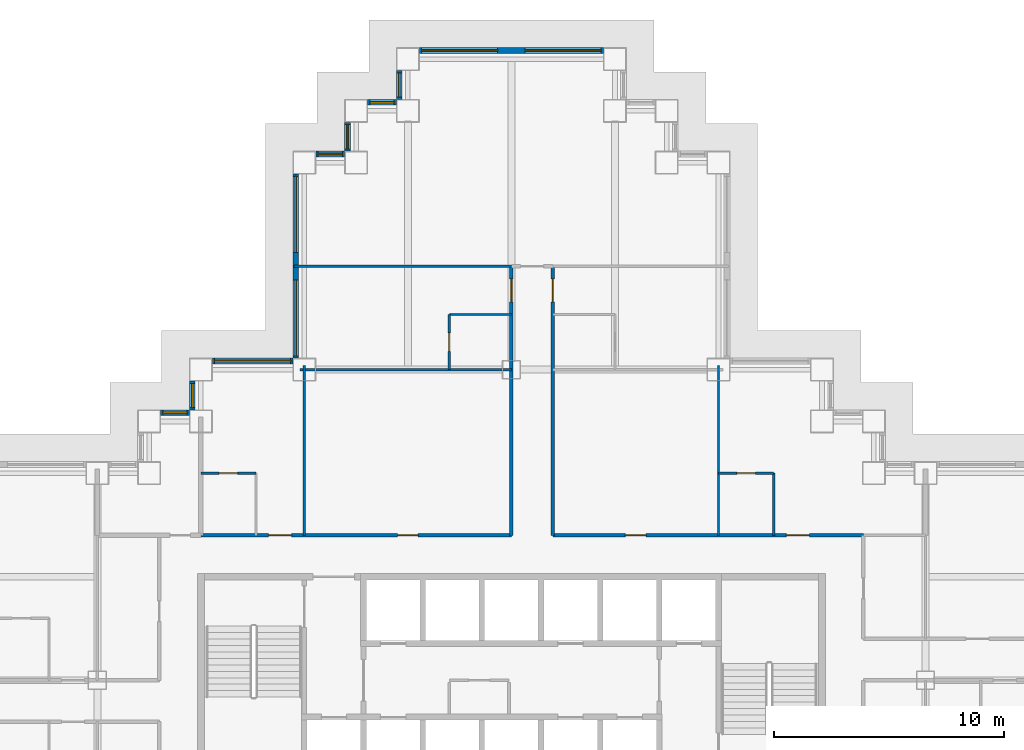
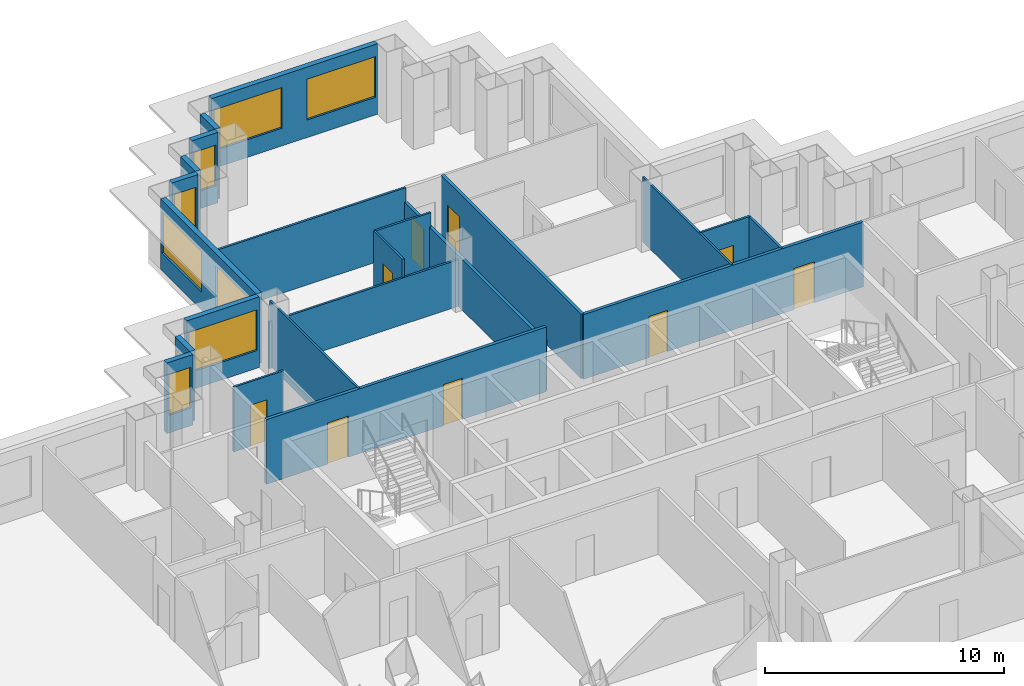
# One storey, part 8 of 14: 22 walls, 11 windows, 9 doors, 20 openings.
"""IFC4 building model written with IfcOpenShell, lengths in metres."""

from ifc_helpers import new_model, si_unit, direction, frame, frame_2d, origin, place, context, subcontext, project, spatial, rectangle, extrude, material, layer, layer_set, type_object, element, fill, save


model = new_model("IFC4")

# Units and contexts
model_context = context("Model", 3, precision=1e-05, world=origin(), true_north=direction((0.0, 1.0)))
body_context = subcontext(model_context, "Body", "Model", "MODEL_VIEW")
ifc_project = project(units=[si_unit("LENGTHUNIT", "METRE"), si_unit("AREAUNIT", "SQUARE_METRE"), si_unit("VOLUMEUNIT", "CUBIC_METRE"), si_unit("PLANEANGLEUNIT", "RADIAN"), si_unit("MASSUNIT", "GRAM", prefix="KILO")], contexts=[model_context])

# Site, building, storey
site_placement = place(None, origin())
site = spatial("IfcSite", under=ifc_project, at=site_placement, CompositionType="ELEMENT")
building_placement = place(site_placement, origin())
building = spatial("IfcBuilding", under=site, at=building_placement, Name="Caravel Reach Hotel and Residences", CompositionType="ELEMENT")
storey_placement = place(building_placement, frame((0.0, 0.0, 56.39990234375)))
storey = spatial("IfcBuildingStorey", under=building, at=storey_placement, Name="L12", CompositionType="ELEMENT", Elevation=56.39990234375)

# Wall, opening, door
ifc_material_1 = material(Name="Gypsum board on steel stud", Category="steel")
ifc_layer_1 = layer(ifc_material_1, 0.10009765625)
ifc_layer_set_1 = layer_set([ifc_layer_1], Name="Bathroom pod wall 100 mm")
wall_type_1 = type_object("IfcWallType", Name="Bathroom pod wall 100 mm", PredefinedType="PARTITIONING", material=ifc_layer_set_1)
wall_1_placement = place(storey_placement, frame((18.0, 36.0, 0.0), z_axis=(0.0, 0.0, 1.0), x_axis=(1.0, 0.0, 0.0)))
wall_1 = element("IfcWall", 1, at=wall_1_placement, inside=storey, type_object=wall_type_1, Name="L12 wall w082", PredefinedType="PARTITIONING", context=body_context, shape_type="SweptSolid", body=[
    extrude(rectangle(XDim=2.39990234375, YDim=0.10009765625, at=frame_2d((1.199951171875, 0.0))), origin(), (0.0, 0.0, 1.0), 3.300048828125),
])
opening_1_placement = place(wall_1_placement, frame((0.800048828125, 0.0, 0.0)))
opening_1 = element("IfcOpeningElement", 2, at=opening_1_placement, cuts=wall_1, Name="Opening D12-042", PredefinedType="OPENING", context=body_context, shape_type="SweptSolid", body=[
    extrude(rectangle(XDim=0.800048828125, YDim=2.10009765625, at=frame_2d((0.39990234375, 1.050048828125))), frame((0.0, 0.06005859375, 0.0), z_axis=(0.0, -1.0, 0.0), x_axis=(1.0, 0.0, 0.0)), (0.0, 0.0, 1.0), 0.1201171875),
])
ifc_material_2 = material(Name="Timber and steel door leaf", Category="steel")
door_type_1 = type_object("IfcDoorType", Name="Bathroom door 800 x 2100", OperationType="SINGLE_SWING_LEFT", PredefinedType="DOOR", material=ifc_material_2)
door_1_placement = place(opening_1_placement, origin())
door_1 = element("IfcDoor", 3, at=door_1_placement, inside=storey, type_object=door_type_1, Name="door D12-042", OperationType="SINGLE_SWING_LEFT", OverallHeight=2.10009765625, OverallWidth=0.800048828125, PredefinedType="DOOR", context=body_context, shape_type="SweptSolid", body=[
    extrude(rectangle(XDim=0.800048828125, YDim=2.10009765625, at=frame_2d((0.39990234375, 1.050048828125))), frame((0.0, 0.02490234375, 0.0), z_axis=(0.0, -1.0, 0.0), x_axis=(1.0, 0.0, 0.0)), (0.0, 0.0, 1.0), 0.050048828125),
])
fill(opening_1, door_1)

wall_2_placement = place(storey_placement, frame((40.5, 36.0, 0.0), z_axis=(0.0, 0.0, 1.0), x_axis=(1.0, 0.0, 0.0)))
wall_2 = element("IfcWall", 4, at=wall_2_placement, inside=storey, type_object=wall_type_1, Name="L12 wall w083", PredefinedType="PARTITIONING", context=body_context, shape_type="SweptSolid", body=[
    extrude(rectangle(XDim=2.39990234375, YDim=0.10009765625, at=frame_2d((1.199951171875, 0.0))), origin(), (0.0, 0.0, 1.0), 3.300048828125),
])
opening_2_placement = place(wall_2_placement, frame((0.800048828125, 0.0, 0.0)))
opening_2 = element("IfcOpeningElement", 5, at=opening_2_placement, cuts=wall_2, Name="Opening D12-045", PredefinedType="OPENING", context=body_context, shape_type="SweptSolid", body=[
    extrude(rectangle(XDim=0.800048828125, YDim=2.10009765625, at=frame_2d((0.39990234375, 1.050048828125))), frame((0.0, 0.06005859375, 0.0), z_axis=(0.0, -1.0, 0.0), x_axis=(1.0, 0.0, 0.0)), (0.0, 0.0, 1.0), 0.1201171875),
])
door_2_placement = place(opening_2_placement, origin())
door_2 = element("IfcDoor", 6, at=door_2_placement, inside=storey, type_object=door_type_1, Name="door D12-045", OperationType="SINGLE_SWING_LEFT", OverallHeight=2.10009765625, OverallWidth=0.800048828125, PredefinedType="DOOR", context=body_context, shape_type="SweptSolid", body=[
    extrude(rectangle(XDim=0.800048828125, YDim=2.10009765625, at=frame_2d((0.39990234375, 1.050048828125))), frame((0.0, 0.02490234375, 0.0), z_axis=(0.0, -1.0, 0.0), x_axis=(1.0, 0.0, 0.0)), (0.0, 0.0, 1.0), 0.050048828125),
])
fill(opening_2, door_2)

# Wall
wall_3_placement = place(storey_placement, frame((28.800048828125, 42.89990234375, 0.0), z_axis=(0.0, 0.0, 1.0), x_axis=(1.0, 0.0, 0.0)))
element("IfcWall", 7, at=wall_3_placement, inside=storey, type_object=wall_type_1, Name="L12 wall w085", PredefinedType="PARTITIONING", context=body_context, shape_type="SweptSolid", body=[
    extrude(rectangle(XDim=2.699951171875, YDim=0.10009765625, at=frame_2d((1.35009765625, 0.0))), origin(), (0.0, 0.0, 1.0), 3.300048828125),
])

# Wall, opening, door
wall_4_placement = place(storey_placement, frame((28.800048828125, 40.5, 0.0), z_axis=(0.0, 0.0, 1.0), x_axis=(0.0, 1.0, 0.0)))
wall_4 = element("IfcWall", 8, at=wall_4_placement, inside=storey, type_object=wall_type_1, Name="L12 wall w094", PredefinedType="PARTITIONING", context=body_context, shape_type="SweptSolid", body=[
    extrude(rectangle(XDim=2.39990234375, YDim=0.10009765625, at=frame_2d((1.199951171875, 0.0))), origin(), (0.0, 0.0, 1.0), 3.300048828125),
])
opening_3_placement = place(wall_4_placement, frame((0.800048828125, 0.0, 0.0)))
opening_3 = element("IfcOpeningElement", 9, at=opening_3_placement, cuts=wall_4, Name="Opening D12-027", PredefinedType="OPENING", context=body_context, shape_type="SweptSolid", body=[
    extrude(rectangle(XDim=0.800048828125, YDim=2.10009765625, at=frame_2d((0.39990234375, 1.050048828125))), frame((0.0, 0.06005859375, 0.0), z_axis=(0.0, -1.0, 0.0), x_axis=(1.0, 0.0, 0.0)), (0.0, 0.0, 1.0), 0.1201171875),
])
door_3_placement = place(opening_3_placement, origin())
door_3 = element("IfcDoor", 10, at=door_3_placement, inside=storey, type_object=door_type_1, Name="door D12-027", OperationType="SINGLE_SWING_LEFT", OverallHeight=2.10009765625, OverallWidth=0.800048828125, PredefinedType="DOOR", context=body_context, shape_type="SweptSolid", body=[
    extrude(rectangle(XDim=0.800048828125, YDim=2.10009765625, at=frame_2d((0.39990234375, 1.050048828125))), frame((0.0, 0.02490234375, 0.0), z_axis=(0.0, -1.0, 0.0), x_axis=(1.0, 0.0, 0.0)), (0.0, 0.0, 1.0), 0.050048828125),
])
fill(opening_3, door_3)

# Wall
wall_5_placement = place(storey_placement, frame((42.89990234375, 33.300048828125, 0.0), z_axis=(0.0, 0.0, 1.0), x_axis=(0.0, 1.0, 0.0)))
element("IfcWall", 11, at=wall_5_placement, inside=storey, type_object=wall_type_1, Name="L12 wall w097", PredefinedType="PARTITIONING", context=body_context, shape_type="SweptSolid", body=[
    extrude(rectangle(XDim=2.699951171875, YDim=0.10009765625, at=frame_2d((1.35009765625, 0.0))), origin(), (0.0, 0.0, 1.0), 3.300048828125),
])

# Wall, openings, doors
ifc_material_3 = material(Name="Gypsum board on steel stud, fire-rated", Category="steel")
ifc_layer_2 = layer(ifc_material_3, 0.14990234375)
ifc_layer_set_2 = layer_set([ifc_layer_2], Name="Corridor wall 150 mm EI 60")
wall_type_2 = type_object("IfcWallType", Name="Corridor wall 150 mm EI 60", PredefinedType="PARTITIONING", material=ifc_layer_set_2)
wall_6_placement = place(storey_placement, frame((18.0, 33.300048828125, 0.0), z_axis=(0.0, 0.0, 1.0), x_axis=(1.0, 0.0, 0.0)))
wall_6 = element("IfcWall", 12, at=wall_6_placement, inside=storey, type_object=wall_type_2, Name="L12 wall w018", PredefinedType="PARTITIONING", context=body_context, shape_type="SweptSolid", body=[
    extrude(rectangle(XDim=13.5, YDim=0.14990234375, at=frame_2d((6.75, 0.0))), origin(), (0.0, 0.0, 1.0), 3.300048828125),
])
opening_4_placement = place(wall_6_placement, frame((2.949951171875, 0.0, 0.0)))
opening_4 = element("IfcOpeningElement", 13, at=opening_4_placement, cuts=wall_6, Name="Opening D12-041", PredefinedType="OPENING", context=body_context, shape_type="SweptSolid", body=[
    extrude(rectangle(XDim=1.0, YDim=2.10009765625, at=frame_2d((0.5, 1.050048828125))), frame((0.0, 0.0849609375, 0.0), z_axis=(0.0, -1.0, 0.0), x_axis=(1.0, 0.0, 0.0)), (0.0, 0.0, 1.0), 0.169921875),
])
opening_5_placement = place(wall_6_placement, frame((8.550048828125, 0.0, 0.0)))
opening_5 = element("IfcOpeningElement", 14, at=opening_5_placement, cuts=wall_6, Name="Opening D12-052", PredefinedType="OPENING", context=body_context, shape_type="SweptSolid", body=[
    extrude(rectangle(XDim=0.89990234375, YDim=2.10009765625, at=frame_2d((0.449951171875, 1.050048828125))), frame((0.0, 0.0849609375, 0.0), z_axis=(0.0, -1.0, 0.0), x_axis=(1.0, 0.0, 0.0)), (0.0, 0.0, 1.0), 0.169921875),
])
ifc_material_4 = material(Name="Timber and steel door leaf", Category="steel")
door_type_2 = type_object("IfcDoorType", Name="Door 900 x 2100 timber", OperationType="SINGLE_SWING_LEFT", PredefinedType="DOOR", material=ifc_material_4)
door_4_placement = place(opening_5_placement, origin())
door_4 = element("IfcDoor", 15, at=door_4_placement, inside=storey, type_object=door_type_2, Name="door D12-052", OperationType="SINGLE_SWING_LEFT", OverallHeight=2.10009765625, OverallWidth=0.89990234375, PredefinedType="DOOR", context=body_context, shape_type="SweptSolid", body=[
    extrude(rectangle(XDim=0.89990234375, YDim=2.10009765625, at=frame_2d((0.449951171875, 1.050048828125))), frame((0.0, 0.02490234375, 0.0), z_axis=(0.0, -1.0, 0.0), x_axis=(1.0, 0.0, 0.0)), (0.0, 0.0, 1.0), 0.050048828125),
])
fill(opening_5, door_4)
ifc_material_5 = material(Name="Steel fire door leaf", Category="steel")
door_type_3 = type_object("IfcDoorType", Name="Guest room door 1000 x 2100 EI 30", OperationType="SINGLE_SWING_LEFT", PredefinedType="DOOR", material=ifc_material_5)
door_5_placement = place(opening_4_placement, origin())
door_5 = element("IfcDoor", 16, at=door_5_placement, inside=storey, type_object=door_type_3, Name="door D12-041", OperationType="SINGLE_SWING_RIGHT", OverallHeight=2.10009765625, OverallWidth=1.0, PredefinedType="DOOR", context=body_context, shape_type="SweptSolid", body=[
    extrude(rectangle(XDim=1.0, YDim=2.10009765625, at=frame_2d((0.5, 1.050048828125))), frame((0.0, 0.02490234375, 0.0), z_axis=(0.0, -1.0, 0.0), x_axis=(1.0, 0.0, 0.0)), (0.0, 0.0, 1.0), 0.050048828125),
])
fill(opening_4, door_5)

wall_7_placement = place(storey_placement, frame((33.300048828125, 33.300048828125, 0.0), z_axis=(0.0, 0.0, 1.0), x_axis=(1.0, 0.0, 0.0)))
wall_7 = element("IfcWall", 17, at=wall_7_placement, inside=storey, type_object=wall_type_2, Name="L12 wall w021", PredefinedType="PARTITIONING", context=body_context, shape_type="SweptSolid", body=[
    extrude(rectangle(XDim=13.5, YDim=0.14990234375, at=frame_2d((6.75, 0.0))), origin(), (0.0, 0.0, 1.0), 3.300048828125),
])
opening_6_placement = place(wall_7_placement, frame((10.14990234375, 0.0, 0.0)))
opening_6 = element("IfcOpeningElement", 18, at=opening_6_placement, cuts=wall_7, Name="Opening D12-044", PredefinedType="OPENING", context=body_context, shape_type="SweptSolid", body=[
    extrude(rectangle(XDim=1.0, YDim=2.10009765625, at=frame_2d((0.5, 1.050048828125))), frame((0.0, 0.0849609375, 0.0), z_axis=(0.0, -1.0, 0.0), x_axis=(1.0, 0.0, 0.0)), (0.0, 0.0, 1.0), 0.169921875),
])
opening_7_placement = place(wall_7_placement, frame((3.14990234375, 0.0, 0.0)))
opening_7 = element("IfcOpeningElement", 19, at=opening_7_placement, cuts=wall_7, Name="Opening D12-053", PredefinedType="OPENING", context=body_context, shape_type="SweptSolid", body=[
    extrude(rectangle(XDim=0.89990234375, YDim=2.10009765625, at=frame_2d((0.449951171875, 1.050048828125))), frame((0.0, 0.0849609375, 0.0), z_axis=(0.0, -1.0, 0.0), x_axis=(1.0, 0.0, 0.0)), (0.0, 0.0, 1.0), 0.169921875),
])
door_6_placement = place(opening_7_placement, origin())
door_6 = element("IfcDoor", 20, at=door_6_placement, inside=storey, type_object=door_type_2, Name="door D12-053", OperationType="SINGLE_SWING_RIGHT", OverallHeight=2.10009765625, OverallWidth=0.89990234375, PredefinedType="DOOR", context=body_context, shape_type="SweptSolid", body=[
    extrude(rectangle(XDim=0.89990234375, YDim=2.10009765625, at=frame_2d((0.449951171875, 1.050048828125))), frame((0.0, 0.02490234375, 0.0), z_axis=(0.0, -1.0, 0.0), x_axis=(1.0, 0.0, 0.0)), (0.0, 0.0, 1.0), 0.050048828125),
])
fill(opening_7, door_6)
door_7_placement = place(opening_6_placement, origin())
door_7 = element("IfcDoor", 21, at=door_7_placement, inside=storey, type_object=door_type_3, Name="door D12-044", OperationType="SINGLE_SWING_RIGHT", OverallHeight=2.10009765625, OverallWidth=1.0, PredefinedType="DOOR", context=body_context, shape_type="SweptSolid", body=[
    extrude(rectangle(XDim=1.0, YDim=2.10009765625, at=frame_2d((0.5, 1.050048828125))), frame((0.0, 0.02490234375, 0.0), z_axis=(0.0, -1.0, 0.0), x_axis=(1.0, 0.0, 0.0)), (0.0, 0.0, 1.0), 0.050048828125),
])
fill(opening_6, door_7)

# Wall, opening, door
wall_8_placement = place(storey_placement, frame((31.5, 33.300048828125, 0.0), z_axis=(0.0, 0.0, 1.0), x_axis=(0.0, 1.0, 0.0)))
wall_8 = element("IfcWall", 22, at=wall_8_placement, inside=storey, type_object=wall_type_2, Name="L12 wall w030", PredefinedType="PARTITIONING", context=body_context, shape_type="SweptSolid", body=[
    extrude(rectangle(XDim=11.699951171875, YDim=0.14990234375, at=frame_2d((5.85009765625, 0.0))), origin(), (0.0, 0.0, 1.0), 2.580078125),
])
opening_8_placement = place(wall_8_placement, frame((10.14990234375, 0.0, 0.0)))
opening_8 = element("IfcOpeningElement", 23, at=opening_8_placement, cuts=wall_8, Name="Opening D12-026", PredefinedType="OPENING", context=body_context, shape_type="SweptSolid", body=[
    extrude(rectangle(XDim=1.0, YDim=2.10009765625, at=frame_2d((0.5, 1.050048828125))), frame((0.0, 0.0849609375, 0.0), z_axis=(0.0, -1.0, 0.0), x_axis=(1.0, 0.0, 0.0)), (0.0, 0.0, 1.0), 0.169921875),
])
door_8_placement = place(opening_8_placement, origin())
door_8 = element("IfcDoor", 24, at=door_8_placement, inside=storey, type_object=door_type_3, Name="door D12-026", OperationType="SINGLE_SWING_RIGHT", OverallHeight=2.10009765625, OverallWidth=1.0, PredefinedType="DOOR", context=body_context, shape_type="SweptSolid", body=[
    extrude(rectangle(XDim=1.0, YDim=2.10009765625, at=frame_2d((0.5, 1.050048828125))), frame((0.0, 0.02490234375, 0.0), z_axis=(0.0, -1.0, 0.0), x_axis=(1.0, 0.0, 0.0)), (0.0, 0.0, 1.0), 0.050048828125),
])
fill(opening_8, door_8)

wall_9_placement = place(storey_placement, frame((33.300048828125, 33.300048828125, 0.0), z_axis=(0.0, 0.0, 1.0), x_axis=(0.0, 1.0, 0.0)))
wall_9 = element("IfcWall", 25, at=wall_9_placement, inside=storey, type_object=wall_type_2, Name="L12 wall w035", PredefinedType="PARTITIONING", context=body_context, shape_type="SweptSolid", body=[
    extrude(rectangle(XDim=11.699951171875, YDim=0.14990234375, at=frame_2d((5.85009765625, 0.0))), origin(), (0.0, 0.0, 1.0), 3.300048828125),
])
opening_9_placement = place(wall_9_placement, frame((10.14990234375, 0.0, 0.0)))
opening_9 = element("IfcOpeningElement", 26, at=opening_9_placement, cuts=wall_9, Name="Opening D12-028", PredefinedType="OPENING", context=body_context, shape_type="SweptSolid", body=[
    extrude(rectangle(XDim=1.0, YDim=2.10009765625, at=frame_2d((0.5, 1.050048828125))), frame((0.0, 0.0849609375, 0.0), z_axis=(0.0, -1.0, 0.0), x_axis=(1.0, 0.0, 0.0)), (0.0, 0.0, 1.0), 0.169921875),
])
door_9_placement = place(opening_9_placement, origin())
door_9 = element("IfcDoor", 27, at=door_9_placement, inside=storey, type_object=door_type_3, Name="door D12-028", OperationType="SINGLE_SWING_RIGHT", OverallHeight=2.10009765625, OverallWidth=1.0, PredefinedType="DOOR", context=body_context, shape_type="SweptSolid", body=[
    extrude(rectangle(XDim=1.0, YDim=2.10009765625, at=frame_2d((0.5, 1.050048828125))), frame((0.0, 0.02490234375, 0.0), z_axis=(0.0, -1.0, 0.0), x_axis=(1.0, 0.0, 0.0)), (0.0, 0.0, 1.0), 0.050048828125),
])
fill(opening_9, door_9)

# Wall, openings, windows
ifc_material_6 = material(Name="Insulated rainscreen wall, aluminium cladding", Category="aluminium")
ifc_layer_3 = layer(ifc_material_6, 0.25)
ifc_layer_set_3 = layer_set([ifc_layer_3], Name="EW1 Tower rainscreen wall")
wall_type_3 = type_object("IfcWallType", Name="EW1 Tower rainscreen wall", PredefinedType="SOLIDWALL", material=ifc_layer_set_3)
wall_10_placement = place(storey_placement, frame((35.5, 54.375, 0.0), z_axis=(0.0, 0.0, 1.0), x_axis=(-1.0, 0.0, 0.0)))
wall_10 = element("IfcWall", 28, at=wall_10_placement, inside=storey, type_object=wall_type_3, Name="External wall L12 N35.1", PredefinedType="SOLIDWALL", context=body_context, shape_type="SweptSolid", body=[
    extrude(rectangle(XDim=8.0, YDim=0.25, at=frame_2d((4.0, 0.0))), origin(), (0.0, 0.0, 1.0), 3.60009765625),
])
opening_10_placement = place(wall_10_placement, frame((0.10009765625, 0.0, 0.89990234375)))
opening_10 = element("IfcOpeningElement", 29, at=opening_10_placement, cuts=wall_10, Name="Opening WN4", PredefinedType="OPENING", context=body_context, shape_type="SweptSolid", body=[
    extrude(rectangle(XDim=3.300048828125, YDim=2.080078125, at=frame_2d((1.64990234375, 1.0400390625))), frame((0.0, 0.135009765625, 0.0), z_axis=(0.0, -1.0, 0.0), x_axis=(1.0, 0.0, 0.0)), (0.0, 0.0, 1.0), 0.27001953125),
])
opening_11_placement = place(wall_10_placement, frame((4.60009765625, 0.0, 0.89990234375)))
opening_11 = element("IfcOpeningElement", 30, at=opening_11_placement, cuts=wall_10, Name="Opening WN4", PredefinedType="OPENING", context=body_context, shape_type="SweptSolid", body=[
    extrude(rectangle(XDim=3.300048828125, YDim=2.080078125, at=frame_2d((1.64990234375, 1.0400390625))), frame((0.0, 0.135009765625, 0.0), z_axis=(0.0, -1.0, 0.0), x_axis=(1.0, 0.0, 0.0)), (0.0, 0.0, 1.0), 0.27001953125),
])
ifc_material_7 = material(Name="Dark low-e glazing in black aluminium frame", Category="aluminium")
window_type_1 = type_object("IfcWindowType", Name="Hotel guest room window 3300 x 2080", PartitioningType="SINGLE_PANEL", PredefinedType="WINDOW", material=ifc_material_7)
window_1_placement = place(opening_10_placement, origin())
window_1 = element("IfcWindow", 31, at=window_1_placement, inside=storey, type_object=window_type_1, Name="Window L12 N35.1.1", OverallHeight=2.080078125, OverallWidth=3.300048828125, PartitioningType="SINGLE_PANEL", PredefinedType="WINDOW", context=body_context, shape_type="SweptSolid", body=[
    extrude(rectangle(XDim=3.300048828125, YDim=2.080078125, at=frame_2d((1.64990234375, 1.0400390625))), frame((0.0, 0.030029296875, 0.0), z_axis=(0.0, -1.0, 0.0), x_axis=(1.0, 0.0, 0.0)), (0.0, 0.0, 1.0), 0.06005859375),
])
fill(opening_10, window_1)
window_2_placement = place(opening_11_placement, origin())
window_2 = element("IfcWindow", 32, at=window_2_placement, inside=storey, type_object=window_type_1, Name="Window L12 N35.1.2", OverallHeight=2.080078125, OverallWidth=3.300048828125, PartitioningType="SINGLE_PANEL", PredefinedType="WINDOW", context=body_context, shape_type="SweptSolid", body=[
    extrude(rectangle(XDim=3.300048828125, YDim=2.080078125, at=frame_2d((1.64990234375, 1.0400390625))), frame((0.0, 0.030029296875, 0.0), z_axis=(0.0, -1.0, 0.0), x_axis=(1.0, 0.0, 0.0)), (0.0, 0.0, 1.0), 0.06005859375),
])
fill(opening_11, window_2)

# Wall, opening, window
wall_11_placement = place(storey_placement, frame((26.625, 53.5, 0.0), z_axis=(0.0, 0.0, 1.0), x_axis=(0.0, -1.0, 0.0)))
wall_11 = element("IfcWall", 33, at=wall_11_placement, inside=storey, type_object=wall_type_3, Name="External wall L12 W36.1", PredefinedType="SOLIDWALL", context=body_context, shape_type="SweptSolid", body=[
    extrude(rectangle(XDim=1.25, YDim=0.25, at=frame_2d((0.625, 0.0))), origin(), (0.0, 0.0, 1.0), 3.60009765625),
])
opening_12_placement = place(wall_11_placement, frame((0.10009765625, 0.0, 0.89990234375)))
opening_12 = element("IfcOpeningElement", 34, at=opening_12_placement, cuts=wall_11, Name="Opening WN3", PredefinedType="OPENING", context=body_context, shape_type="SweptSolid", body=[
    extrude(rectangle(XDim=1.050048828125, YDim=2.080078125, at=frame_2d((0.52490234375, 1.0400390625))), frame((0.0, 0.135009765625, 0.0), z_axis=(0.0, -1.0, 0.0), x_axis=(1.0, 0.0, 0.0)), (0.0, 0.0, 1.0), 0.27001953125),
])
ifc_material_8 = material(Name="Dark low-e glazing in black aluminium frame", Category="aluminium")
window_type_2 = type_object("IfcWindowType", Name="Hotel suite corner window 1050 x 2080", PartitioningType="SINGLE_PANEL", PredefinedType="WINDOW", material=ifc_material_8)
window_3_placement = place(opening_12_placement, origin())
window_3 = element("IfcWindow", 35, at=window_3_placement, inside=storey, type_object=window_type_2, Name="Window L12 W36.1.1", OverallHeight=2.080078125, OverallWidth=1.050048828125, PartitioningType="SINGLE_PANEL", PredefinedType="WINDOW", context=body_context, shape_type="SweptSolid", body=[
    extrude(rectangle(XDim=1.050048828125, YDim=2.080078125, at=frame_2d((0.52490234375, 1.0400390625))), frame((0.0, 0.030029296875, 0.0), z_axis=(0.0, -1.0, 0.0), x_axis=(1.0, 0.0, 0.0)), (0.0, 0.0, 1.0), 0.06005859375),
])
fill(opening_12, window_3)

wall_12_placement = place(storey_placement, frame((26.5, 52.125, 0.0), z_axis=(0.0, 0.0, 1.0), x_axis=(-1.0, 0.0, 0.0)))
wall_12 = element("IfcWall", 36, at=wall_12_placement, inside=storey, type_object=wall_type_3, Name="External wall L12 N37.1", PredefinedType="SOLIDWALL", context=body_context, shape_type="SweptSolid", body=[
    extrude(rectangle(XDim=1.25, YDim=0.25, at=frame_2d((0.625, 0.0))), origin(), (0.0, 0.0, 1.0), 3.60009765625),
])
opening_13_placement = place(wall_12_placement, frame((0.10009765625, 0.0, 0.89990234375)))
opening_13 = element("IfcOpeningElement", 37, at=opening_13_placement, cuts=wall_12, Name="Opening WN3", PredefinedType="OPENING", context=body_context, shape_type="SweptSolid", body=[
    extrude(rectangle(XDim=1.050048828125, YDim=2.080078125, at=frame_2d((0.52490234375, 1.0400390625))), frame((0.0, 0.135009765625, 0.0), z_axis=(0.0, -1.0, 0.0), x_axis=(1.0, 0.0, 0.0)), (0.0, 0.0, 1.0), 0.27001953125),
])
window_4_placement = place(opening_13_placement, origin())
window_4 = element("IfcWindow", 38, at=window_4_placement, inside=storey, type_object=window_type_2, Name="Window L12 N37.1.1", OverallHeight=2.080078125, OverallWidth=1.050048828125, PartitioningType="SINGLE_PANEL", PredefinedType="WINDOW", context=body_context, shape_type="SweptSolid", body=[
    extrude(rectangle(XDim=1.050048828125, YDim=2.080078125, at=frame_2d((0.52490234375, 1.0400390625))), frame((0.0, 0.030029296875, 0.0), z_axis=(0.0, -1.0, 0.0), x_axis=(1.0, 0.0, 0.0)), (0.0, 0.0, 1.0), 0.06005859375),
])
fill(opening_13, window_4)

wall_13_placement = place(storey_placement, frame((24.375, 51.25, 0.0), z_axis=(0.0, 0.0, 1.0), x_axis=(0.0, -1.0, 0.0)))
wall_13 = element("IfcWall", 39, at=wall_13_placement, inside=storey, type_object=wall_type_3, Name="External wall L12 W38.1", PredefinedType="SOLIDWALL", context=body_context, shape_type="SweptSolid", body=[
    extrude(rectangle(XDim=1.25, YDim=0.25, at=frame_2d((0.625, 0.0))), origin(), (0.0, 0.0, 1.0), 3.60009765625),
])
opening_14_placement = place(wall_13_placement, frame((0.10009765625, 0.0, 0.89990234375)))
opening_14 = element("IfcOpeningElement", 40, at=opening_14_placement, cuts=wall_13, Name="Opening WN3", PredefinedType="OPENING", context=body_context, shape_type="SweptSolid", body=[
    extrude(rectangle(XDim=1.050048828125, YDim=2.080078125, at=frame_2d((0.52490234375, 1.0400390625))), frame((0.0, 0.135009765625, 0.0), z_axis=(0.0, -1.0, 0.0), x_axis=(1.0, 0.0, 0.0)), (0.0, 0.0, 1.0), 0.27001953125),
])
window_5_placement = place(opening_14_placement, origin())
window_5 = element("IfcWindow", 41, at=window_5_placement, inside=storey, type_object=window_type_2, Name="Window L12 W38.1.1", OverallHeight=2.080078125, OverallWidth=1.050048828125, PartitioningType="SINGLE_PANEL", PredefinedType="WINDOW", context=body_context, shape_type="SweptSolid", body=[
    extrude(rectangle(XDim=1.050048828125, YDim=2.080078125, at=frame_2d((0.52490234375, 1.0400390625))), frame((0.0, 0.030029296875, 0.0), z_axis=(0.0, -1.0, 0.0), x_axis=(1.0, 0.0, 0.0)), (0.0, 0.0, 1.0), 0.06005859375),
])
fill(opening_14, window_5)

wall_14_placement = place(storey_placement, frame((24.25, 49.875, 0.0), z_axis=(0.0, 0.0, 1.0), x_axis=(-1.0, 0.0, 0.0)))
wall_14 = element("IfcWall", 42, at=wall_14_placement, inside=storey, type_object=wall_type_3, Name="External wall L12 N39.1", PredefinedType="SOLIDWALL", context=body_context, shape_type="SweptSolid", body=[
    extrude(rectangle(XDim=1.25, YDim=0.25, at=frame_2d((0.625, 0.0))), origin(), (0.0, 0.0, 1.0), 3.60009765625),
])
opening_15_placement = place(wall_14_placement, frame((0.10009765625, 0.0, 0.89990234375)))
opening_15 = element("IfcOpeningElement", 43, at=opening_15_placement, cuts=wall_14, Name="Opening WN3", PredefinedType="OPENING", context=body_context, shape_type="SweptSolid", body=[
    extrude(rectangle(XDim=1.050048828125, YDim=2.080078125, at=frame_2d((0.52490234375, 1.0400390625))), frame((0.0, 0.135009765625, 0.0), z_axis=(0.0, -1.0, 0.0), x_axis=(1.0, 0.0, 0.0)), (0.0, 0.0, 1.0), 0.27001953125),
])
window_6_placement = place(opening_15_placement, origin())
window_6 = element("IfcWindow", 44, at=window_6_placement, inside=storey, type_object=window_type_2, Name="Window L12 N39.1.1", OverallHeight=2.080078125, OverallWidth=1.050048828125, PartitioningType="SINGLE_PANEL", PredefinedType="WINDOW", context=body_context, shape_type="SweptSolid", body=[
    extrude(rectangle(XDim=1.050048828125, YDim=2.080078125, at=frame_2d((0.52490234375, 1.0400390625))), frame((0.0, 0.030029296875, 0.0), z_axis=(0.0, -1.0, 0.0), x_axis=(1.0, 0.0, 0.0)), (0.0, 0.0, 1.0), 0.06005859375),
])
fill(opening_15, window_6)

# Wall, openings, windows
wall_15_placement = place(storey_placement, frame((22.125, 49.0, 0.0), z_axis=(0.0, 0.0, 1.0), x_axis=(0.0, -1.0, 0.0)))
wall_15 = element("IfcWall", 45, at=wall_15_placement, inside=storey, type_object=wall_type_3, Name="External wall L12 W40.1", PredefinedType="SOLIDWALL", context=body_context, shape_type="SweptSolid", body=[
    extrude(rectangle(XDim=8.0, YDim=0.25, at=frame_2d((4.0, 0.0))), origin(), (0.0, 0.0, 1.0), 3.60009765625),
])
opening_16_placement = place(wall_15_placement, frame((0.10009765625, 0.0, 0.89990234375)))
opening_16 = element("IfcOpeningElement", 46, at=opening_16_placement, cuts=wall_15, Name="Opening WN4", PredefinedType="OPENING", context=body_context, shape_type="SweptSolid", body=[
    extrude(rectangle(XDim=3.300048828125, YDim=2.080078125, at=frame_2d((1.64990234375, 1.0400390625))), frame((0.0, 0.135009765625, 0.0), z_axis=(0.0, -1.0, 0.0), x_axis=(1.0, 0.0, 0.0)), (0.0, 0.0, 1.0), 0.27001953125),
])
opening_17_placement = place(wall_15_placement, frame((4.60009765625, 0.0, 0.89990234375)))
opening_17 = element("IfcOpeningElement", 47, at=opening_17_placement, cuts=wall_15, Name="Opening WN4", PredefinedType="OPENING", context=body_context, shape_type="SweptSolid", body=[
    extrude(rectangle(XDim=3.300048828125, YDim=2.080078125, at=frame_2d((1.64990234375, 1.0400390625))), frame((0.0, 0.135009765625, 0.0), z_axis=(0.0, -1.0, 0.0), x_axis=(1.0, 0.0, 0.0)), (0.0, 0.0, 1.0), 0.27001953125),
])
window_7_placement = place(opening_16_placement, origin())
window_7 = element("IfcWindow", 48, at=window_7_placement, inside=storey, type_object=window_type_1, Name="Window L12 W40.1.1", OverallHeight=2.080078125, OverallWidth=3.300048828125, PartitioningType="SINGLE_PANEL", PredefinedType="WINDOW", context=body_context, shape_type="SweptSolid", body=[
    extrude(rectangle(XDim=3.300048828125, YDim=2.080078125, at=frame_2d((1.64990234375, 1.0400390625))), frame((0.0, 0.030029296875, 0.0), z_axis=(0.0, -1.0, 0.0), x_axis=(1.0, 0.0, 0.0)), (0.0, 0.0, 1.0), 0.06005859375),
])
fill(opening_16, window_7)
window_8_placement = place(opening_17_placement, origin())
window_8 = element("IfcWindow", 49, at=window_8_placement, inside=storey, type_object=window_type_1, Name="Window L12 W40.1.2", OverallHeight=2.080078125, OverallWidth=3.300048828125, PartitioningType="SINGLE_PANEL", PredefinedType="WINDOW", context=body_context, shape_type="SweptSolid", body=[
    extrude(rectangle(XDim=3.300048828125, YDim=2.080078125, at=frame_2d((1.64990234375, 1.0400390625))), frame((0.0, 0.030029296875, 0.0), z_axis=(0.0, -1.0, 0.0), x_axis=(1.0, 0.0, 0.0)), (0.0, 0.0, 1.0), 0.06005859375),
])
fill(opening_17, window_8)

# Wall, opening, window
wall_16_placement = place(storey_placement, frame((22.0, 40.875, 0.0), z_axis=(0.0, 0.0, 1.0), x_axis=(-1.0, 0.0, 0.0)))
wall_16 = element("IfcWall", 50, at=wall_16_placement, inside=storey, type_object=wall_type_3, Name="External wall L12 N41.1", PredefinedType="SOLIDWALL", context=body_context, shape_type="SweptSolid", body=[
    extrude(rectangle(XDim=3.5, YDim=0.25, at=frame_2d((1.75, 0.0))), origin(), (0.0, 0.0, 1.0), 3.60009765625),
])
opening_18_placement = place(wall_16_placement, frame((0.10009765625, 0.0, 0.89990234375)))
opening_18 = element("IfcOpeningElement", 51, at=opening_18_placement, cuts=wall_16, Name="Opening WN4", PredefinedType="OPENING", context=body_context, shape_type="SweptSolid", body=[
    extrude(rectangle(XDim=3.300048828125, YDim=2.080078125, at=frame_2d((1.64990234375, 1.0400390625))), frame((0.0, 0.135009765625, 0.0), z_axis=(0.0, -1.0, 0.0), x_axis=(1.0, 0.0, 0.0)), (0.0, 0.0, 1.0), 0.27001953125),
])
window_9_placement = place(opening_18_placement, origin())
window_9 = element("IfcWindow", 52, at=window_9_placement, inside=storey, type_object=window_type_1, Name="Window L12 N41.1.1", OverallHeight=2.080078125, OverallWidth=3.300048828125, PartitioningType="SINGLE_PANEL", PredefinedType="WINDOW", context=body_context, shape_type="SweptSolid", body=[
    extrude(rectangle(XDim=3.300048828125, YDim=2.080078125, at=frame_2d((1.64990234375, 1.0400390625))), frame((0.0, 0.030029296875, 0.0), z_axis=(0.0, -1.0, 0.0), x_axis=(1.0, 0.0, 0.0)), (0.0, 0.0, 1.0), 0.06005859375),
])
fill(opening_18, window_9)

wall_17_placement = place(storey_placement, frame((17.625, 40.0, 0.0), z_axis=(0.0, 0.0, 1.0), x_axis=(0.0, -1.0, 0.0)))
wall_17 = element("IfcWall", 53, at=wall_17_placement, inside=storey, type_object=wall_type_3, Name="External wall L12 W42.1", PredefinedType="SOLIDWALL", context=body_context, shape_type="SweptSolid", body=[
    extrude(rectangle(XDim=1.25, YDim=0.25, at=frame_2d((0.625, 0.0))), origin(), (0.0, 0.0, 1.0), 3.60009765625),
])
opening_19_placement = place(wall_17_placement, frame((0.10009765625, 0.0, 0.89990234375)))
opening_19 = element("IfcOpeningElement", 54, at=opening_19_placement, cuts=wall_17, Name="Opening WN3", PredefinedType="OPENING", context=body_context, shape_type="SweptSolid", body=[
    extrude(rectangle(XDim=1.050048828125, YDim=2.080078125, at=frame_2d((0.52490234375, 1.0400390625))), frame((0.0, 0.135009765625, 0.0), z_axis=(0.0, -1.0, 0.0), x_axis=(1.0, 0.0, 0.0)), (0.0, 0.0, 1.0), 0.27001953125),
])
window_10_placement = place(opening_19_placement, origin())
window_10 = element("IfcWindow", 55, at=window_10_placement, inside=storey, type_object=window_type_2, Name="Window L12 W42.1.1", OverallHeight=2.080078125, OverallWidth=1.050048828125, PartitioningType="SINGLE_PANEL", PredefinedType="WINDOW", context=body_context, shape_type="SweptSolid", body=[
    extrude(rectangle(XDim=1.050048828125, YDim=2.080078125, at=frame_2d((0.52490234375, 1.0400390625))), frame((0.0, 0.030029296875, 0.0), z_axis=(0.0, -1.0, 0.0), x_axis=(1.0, 0.0, 0.0)), (0.0, 0.0, 1.0), 0.06005859375),
])
fill(opening_19, window_10)

wall_18_placement = place(storey_placement, frame((17.5, 38.625, 0.0), z_axis=(0.0, 0.0, 1.0), x_axis=(-1.0, 0.0, 0.0)))
wall_18 = element("IfcWall", 56, at=wall_18_placement, inside=storey, type_object=wall_type_3, Name="External wall L12 N43.1", PredefinedType="SOLIDWALL", context=body_context, shape_type="SweptSolid", body=[
    extrude(rectangle(XDim=1.25, YDim=0.25, at=frame_2d((0.625, 0.0))), origin(), (0.0, 0.0, 1.0), 3.60009765625),
])
opening_20_placement = place(wall_18_placement, frame((0.10009765625, 0.0, 0.89990234375)))
opening_20 = element("IfcOpeningElement", 57, at=opening_20_placement, cuts=wall_18, Name="Opening WN3", PredefinedType="OPENING", context=body_context, shape_type="SweptSolid", body=[
    extrude(rectangle(XDim=1.050048828125, YDim=2.080078125, at=frame_2d((0.52490234375, 1.0400390625))), frame((0.0, 0.135009765625, 0.0), z_axis=(0.0, -1.0, 0.0), x_axis=(1.0, 0.0, 0.0)), (0.0, 0.0, 1.0), 0.27001953125),
])
window_11_placement = place(opening_20_placement, origin())
window_11 = element("IfcWindow", 58, at=window_11_placement, inside=storey, type_object=window_type_2, Name="Window L12 N43.1.1", OverallHeight=2.080078125, OverallWidth=1.050048828125, PartitioningType="SINGLE_PANEL", PredefinedType="WINDOW", context=body_context, shape_type="SweptSolid", body=[
    extrude(rectangle(XDim=1.050048828125, YDim=2.080078125, at=frame_2d((0.52490234375, 1.0400390625))), frame((0.0, 0.030029296875, 0.0), z_axis=(0.0, -1.0, 0.0), x_axis=(1.0, 0.0, 0.0)), (0.0, 0.0, 1.0), 0.06005859375),
])
fill(opening_20, window_11)

# Walls
ifc_material_9 = material(Name="Gypsum board on steel stud", Category="steel")
ifc_layer_4 = layer(ifc_material_9, 0.10009765625)
ifc_layer_set_4 = layer_set([ifc_layer_4], Name="Partition 100 mm")
wall_type_4 = type_object("IfcWallType", Name="Partition 100 mm", PredefinedType="PARTITIONING", material=ifc_layer_set_4)
wall_19_placement = place(storey_placement, frame((22.31005859375, 40.5, 0.0), z_axis=(0.0, 0.0, 1.0), x_axis=(1.0, 0.0, 0.0)))
element("IfcWall", 59, at=wall_19_placement, inside=storey, type_object=wall_type_4, Name="L12 wall w049", PredefinedType="PARTITIONING", context=body_context, shape_type="SweptSolid", body=[
    extrude(rectangle(XDim=9.18994140625, YDim=0.10009765625, at=frame_2d((4.594970703125, 0.0))), origin(), (0.0, 0.0, 1.0), 2.380126953125),
])
wall_20_placement = place(storey_placement, frame((22.06005859375, 45.0, 0.0), z_axis=(0.0, 0.0, 1.0), x_axis=(1.0, 0.0, 0.0)))
element("IfcWall", 60, at=wall_20_placement, inside=storey, type_object=wall_type_4, Name="L12 wall w051", PredefinedType="PARTITIONING", context=body_context, shape_type="SweptSolid", body=[
    extrude(rectangle(XDim=9.43994140625, YDim=0.10009765625, at=frame_2d((4.719970703125, 0.0))), origin(), (0.0, 0.0, 1.0), 3.300048828125),
])
for number, where, z_axis, x_axis, name in (
    (61, (22.5, 33.300048828125, 0.0), (0.0, 0.0, 1.0), (0.0, 1.0, 0.0), "L12 wall w057"),
    (62, (40.5, 33.300048828125, 0.0), (0.0, 0.0, 1.0), (0.0, 1.0, 0.0), "L12 wall w060"),
):
    element("IfcWall", number, at=place(storey_placement, frame(where, z_axis=z_axis, x_axis=x_axis)), inside=storey, type_object=wall_type_4, Name=name, PredefinedType="PARTITIONING", context=body_context, shape_type="SweptSolid", body=[
        extrude(rectangle(XDim=7.389892578125, YDim=0.10009765625, at=frame_2d((3.69482421875, 0.0))), origin(), (0.0, 0.0, 1.0), 3.300048828125),
    ])

save(model, "model.ifc")
